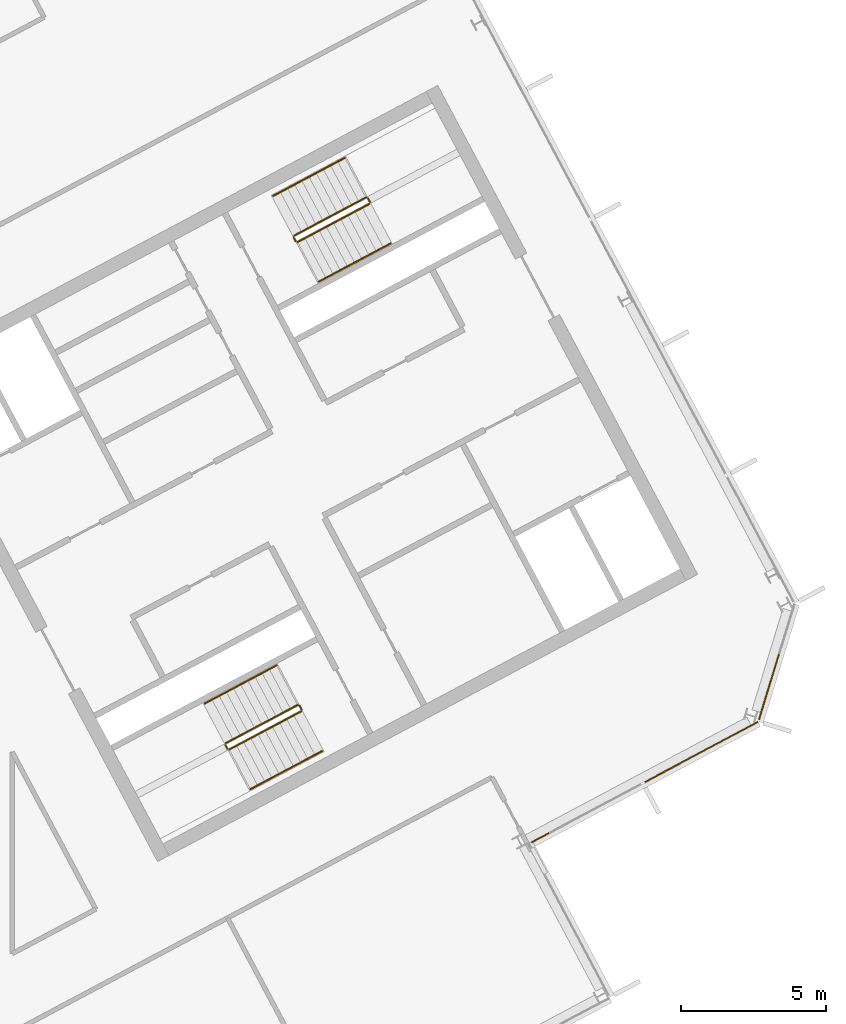
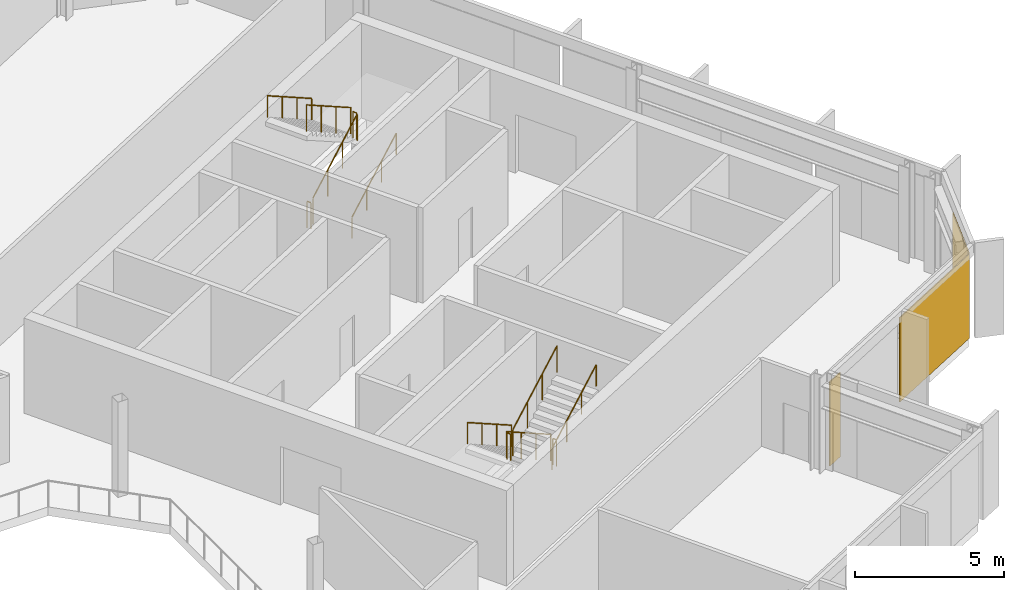
# One storey, part 25 of 26: 12 railings, 3 coverings, 2 elements without a shape of their own.
"""IFC4 building model written with IfcOpenShell, lengths in metres."""

from ifc_helpers import new_model, si_unit, direction, frame, origin, origin_2d, place, context, subcontext, project, spatial, polyline, rectangle, outline, extrude, material, layer, layer_set, type_object, element, aggregate, save


model = new_model("IFC4")

# Units and contexts
model_context = context("Model", 3, precision=1e-05, world=origin(), true_north=direction((0.0, 1.0)))
body_context = subcontext(model_context, "Body", "Model", "MODEL_VIEW")
ifc_project = project(units=[si_unit("LENGTHUNIT", "METRE"), si_unit("AREAUNIT", "SQUARE_METRE"), si_unit("VOLUMEUNIT", "CUBIC_METRE"), si_unit("PLANEANGLEUNIT", "RADIAN"), si_unit("MASSUNIT", "GRAM", prefix="KILO")], contexts=[model_context])

# Site, building, storey
site_placement = place(None, origin())
site = spatial("IfcSite", under=ifc_project, at=site_placement, CompositionType="ELEMENT")
building_placement = place(site_placement, origin())
building = spatial("IfcBuilding", under=site, at=building_placement, Name="Cormorant Relay Tower", CompositionType="ELEMENT")
storey_placement = place(building_placement, frame((0.0, 0.0, 261.89990234375)))
storey = spatial("IfcBuildingStorey", under=building, at=storey_placement, Name="L58", CompositionType="ELEMENT", Elevation=261.89990234375)

# Curtain wall, coverings
ifc_material_1 = material(Name="Aluminium 6063-T6 anodised bronze", Category="aluminium")
ifc_layer_1 = layer(ifc_material_1, 0.199951171875)
ifc_layer_set_1 = layer_set([ifc_layer_1], Name="CW1 unitised bronze curtain wall with vertical fins")
curtain_wall_type = type_object("IfcCurtainWallType", Name="CW1 unitised bronze curtain wall with vertical fins", PredefinedType="NOTDEFINED", material=ifc_layer_set_1)
curtain_wall_1_placement = place(storey_placement, origin())
curtain_wall_1 = element("IfcCurtainWall", 1, at=curtain_wall_1_placement, inside=storey, type_object=curtain_wall_type, Name="CW1 curtain wall 4", PredefinedType="NOTDEFINED")
ifc_material_2 = material(Name="Pale bronze anodised aluminium insulated panel", Category="aluminium")
ifc_layer_2 = layer(ifc_material_2, 0.0400390625)
ifc_layer_set_2 = layer_set([ifc_layer_2], Name="CW1 pale bronze insulated panel 40")
covering_type = type_object("IfcCoveringType", Name="CW1 pale bronze insulated panel 40", PredefinedType="CLADDING", material=ifc_layer_set_2)
covering_1_placement = place(storey_placement, frame((32.204345703125, 0.1123046875, 0.0), z_axis=(0.0, 0.0, 1.0), x_axis=(0.882947592859, 0.469471562786, 0.0)))
covering_1 = element("IfcCovering", 2, at=covering_1_placement, type_object=covering_type, Name="CW1 panel S00", PredefinedType="CLADDING", context=body_context, shape_type="SweptSolid", body=[
    extrude(rectangle(XDim=0.675048828125, YDim=0.0400390625, at=origin_2d()), origin(), (0.0, 0.0, 1.0), 3.449951171875),
])
covering_2_placement = place(storey_placement, frame((37.76708984375, 3.06982421875, 0.0), z_axis=(0.0, 0.0, 1.0), x_axis=(0.882947592859, 0.469471562786, 0.0)))
covering_2 = element("IfcCovering", 3, at=covering_2_placement, type_object=covering_type, Name="CW1 panel S02", PredefinedType="CLADDING", context=body_context, shape_type="SweptSolid", body=[
    extrude(rectangle(XDim=4.425048828125, YDim=0.0400390625, at=origin_2d()), origin(), (0.0, 0.0, 1.0), 3.449951171875),
])
aggregate(curtain_wall_1, [covering_1, covering_2])

# Curtain wall, covering
curtain_wall_2_placement = place(storey_placement, origin())
curtain_wall_2 = element("IfcCurtainWall", 4, at=curtain_wall_2_placement, inside=storey, type_object=curtain_wall_type, Name="CW1 curtain wall 5", PredefinedType="NOTDEFINED")
covering_3_placement = place(storey_placement, frame((40.098388671875, 5.32421875, 0.0), z_axis=(0.0, 0.0, 1.0), x_axis=(0.292371704723, 0.956304755963, 0.0)))
covering_3 = element("IfcCovering", 5, at=covering_3_placement, type_object=covering_type, Name="CW1 panel S00", PredefinedType="CLADDING", context=body_context, shape_type="SweptSolid", body=[
    extrude(rectangle(XDim=2.36767578125, YDim=0.0400390625, at=origin_2d()), origin(), (0.0, 0.0, 1.0), 3.449951171875),
])
aggregate(curtain_wall_2, [covering_3])

# Railings
ifc_material_3 = material(Name="Steel ASTM A572 Grade 50 (Fy 345 MPa)", Category="steel")
railing_type_1 = type_object("IfcRailingType", Name="Stair guard 1100", PredefinedType="GUARDRAIL", material=ifc_material_3)
railing_1_placement = place(storey_placement, frame((23.83837890625, 4.6904296875, 0.177490234375)))
element("IfcRailing", 6, at=railing_1_placement, inside=storey, type_object=railing_type_1, Name="L58 B1 stair guard 1", PredefinedType="GUARDRAIL", context=body_context, shape_type="SweptSolid", body=[
    extrude(outline(polyline([(0.022216796875, 0.00927734375), (0.00927734375, 0.022216796875), (-0.00927734375, 0.022216796875), (-0.022216796875, 0.00927734375), (-0.022216796875, -0.00927734375), (-0.00927734375, -0.022216796875), (0.00927734375, -0.022216796875), (0.022216796875, -0.00927734375), (0.022216796875, 0.00927734375)])), frame((0.0, 0.0, 1.076171875), z_axis=(-0.746033882577, -0.396627473466, 0.534901947407), x_axis=(0.469429322983, -0.882970050864, 0.0)), (0.0, 0.0, 1.0), 3.31396484375),
    extrude(outline(polyline([(0.019287109375, 0.008056640625), (0.008056640625, 0.019287109375), (-0.008056640625, 0.019287109375), (-0.019287109375, 0.008056640625), (-0.019287109375, -0.008056640625), (-0.008056640625, -0.019287109375), (0.008056640625, -0.019287109375), (0.019287109375, -0.008056640625), (0.019287109375, 0.008056640625)])), origin(), (0.0, 0.0, 1.0), 1.052001953125),
    extrude(outline(polyline([(0.019287109375, 0.008056640625), (0.008056640625, 0.019287109375), (-0.008056640625, 0.019287109375), (-0.019287109375, 0.008056640625), (-0.019287109375, -0.008056640625), (-0.008056640625, -0.019287109375), (0.008056640625, -0.019287109375), (0.019287109375, -0.008056640625), (0.019287109375, 0.008056640625)])), frame((-0.82421875, -0.438232421875, 0.5908203125)), (0.0, 0.0, 1.0), 1.052001953125),
    extrude(outline(polyline([(0.019287109375, 0.008056640625), (0.008056640625, 0.019287109375), (-0.008056640625, 0.019287109375), (-0.019287109375, 0.008056640625), (-0.019287109375, -0.008056640625), (-0.008056640625, -0.019287109375), (0.008056640625, -0.019287109375), (0.019287109375, -0.008056640625), (0.019287109375, 0.008056640625)])), frame((-1.648193359375, -0.876220703125, 1.181884765625)), (0.0, 0.0, 1.0), 1.052001953125),
    extrude(outline(polyline([(0.019287109375, 0.008056640625), (0.008056640625, 0.019287109375), (-0.008056640625, 0.019287109375), (-0.019287109375, 0.008056640625), (-0.019287109375, -0.008056640625), (-0.008056640625, -0.019287109375), (0.008056640625, -0.019287109375), (0.019287109375, -0.008056640625), (0.019287109375, 0.008056640625)])), frame((-2.472412109375, -1.314453125, 1.772705078125)), (0.0, 0.0, 1.0), 1.052001953125),
])
railing_2_placement = place(storey_placement, frame((21.345458984375, 3.308349609375, 1.9501953125)))
element("IfcRailing", 7, at=railing_2_placement, inside=storey, type_object=railing_type_1, Name="L58 B1 stair guard 2", PredefinedType="GUARDRAIL", context=body_context, shape_type="SweptSolid", body=[
    extrude(outline(polyline([(0.022216796875, 0.00927734375), (0.00927734375, 0.022216796875), (-0.00927734375, 0.022216796875), (-0.022216796875, 0.00927734375), (-0.022216796875, -0.00927734375), (-0.00927734375, -0.022216796875), (0.00927734375, -0.022216796875), (0.022216796875, -0.00927734375), (0.022216796875, 0.00927734375)])), frame((0.0, 0.0, 1.076171875), z_axis=(0.46856034887, -0.8834314911, 0.0), x_axis=(0.8834314911, 0.46856034887, 0.0)), (0.0, 0.0, 1.0), 0.150146484375),
    extrude(outline(polyline([(0.019287109375, 0.008056640625), (0.008056640625, 0.019287109375), (-0.008056640625, 0.019287109375), (-0.019287109375, 0.008056640625), (-0.019287109375, -0.008056640625), (-0.008056640625, -0.019287109375), (0.008056640625, -0.019287109375), (0.019287109375, -0.008056640625), (0.019287109375, 0.008056640625)])), origin(), (0.0, 0.0, 1.0), 1.052001953125),
    extrude(outline(polyline([(0.019287109375, 0.008056640625), (0.008056640625, 0.019287109375), (-0.008056640625, 0.019287109375), (-0.019287109375, 0.008056640625), (-0.019287109375, -0.008056640625), (-0.008056640625, -0.019287109375), (0.008056640625, -0.019287109375), (0.019287109375, -0.008056640625), (0.019287109375, 0.008056640625)])), frame((0.0703125, -0.132568359375, 0.0)), (0.0, 0.0, 1.0), 1.052001953125),
])
railing_3_placement = place(storey_placement, frame((21.4833984375, 3.1552734375, 2.12744140625)))
element("IfcRailing", 8, at=railing_3_placement, inside=storey, type_object=railing_type_1, Name="L58 B1 stair guard 3", PredefinedType="GUARDRAIL", context=body_context, shape_type="SweptSolid", body=[
    extrude(outline(polyline([(0.022216796875, 0.00927734375), (0.00927734375, 0.022216796875), (-0.00927734375, 0.022216796875), (-0.022216796875, 0.00927734375), (-0.022216796875, -0.00927734375), (-0.00927734375, -0.022216796875), (0.00927734375, -0.022216796875), (0.022216796875, -0.00927734375), (0.022216796875, 0.00927734375)])), frame((0.0, 0.0, 1.076171875), z_axis=(0.746001213114, 0.396649272309, 0.534931345884), x_axis=(-0.469465464807, 0.882950835185, 0.0)), (0.0, 0.0, 1.0), 3.31396484375),
    extrude(outline(polyline([(0.019287109375, 0.008056640625), (0.008056640625, 0.019287109375), (-0.008056640625, 0.019287109375), (-0.019287109375, 0.008056640625), (-0.019287109375, -0.008056640625), (-0.008056640625, -0.019287109375), (0.008056640625, -0.019287109375), (0.019287109375, -0.008056640625), (0.019287109375, 0.008056640625)])), origin(), (0.0, 0.0, 1.0), 1.052001953125),
    extrude(outline(polyline([(0.019287109375, 0.008056640625), (0.008056640625, 0.019287109375), (-0.008056640625, 0.019287109375), (-0.019287109375, 0.008056640625), (-0.019287109375, -0.008056640625), (-0.008056640625, -0.019287109375), (0.008056640625, -0.019287109375), (0.019287109375, -0.008056640625), (0.019287109375, 0.008056640625)])), frame((0.823974609375, 0.438232421875, 0.5908203125)), (0.0, 0.0, 1.0), 1.052001953125),
    extrude(outline(polyline([(0.019287109375, 0.008056640625), (0.008056640625, 0.019287109375), (-0.008056640625, 0.019287109375), (-0.019287109375, 0.008056640625), (-0.019287109375, -0.008056640625), (-0.008056640625, -0.019287109375), (0.008056640625, -0.019287109375), (0.019287109375, -0.008056640625), (0.019287109375, 0.008056640625)])), frame((1.648193359375, 0.876220703125, 1.181884765625)), (0.0, 0.0, 1.0), 1.052001953125),
    extrude(outline(polyline([(0.019287109375, 0.008056640625), (0.008056640625, 0.019287109375), (-0.008056640625, 0.019287109375), (-0.019287109375, 0.008056640625), (-0.019287109375, -0.008056640625), (-0.008056640625, -0.019287109375), (0.008056640625, -0.019287109375), (0.019287109375, -0.008056640625), (0.019287109375, 0.008056640625)])), frame((2.47216796875, 1.314453125, 1.772705078125)), (0.0, 0.0, 1.0), 1.052001953125),
])
railing_4_placement = place(storey_placement, frame((23.906005859375, 4.669677734375, 0.0)))
element("IfcRailing", 9, at=railing_4_placement, inside=storey, type_object=railing_type_1, Name="L58 B1 stair guard 4", PredefinedType="GUARDRAIL", context=body_context, shape_type="SweptSolid", body=[
    extrude(outline(polyline([(0.022216796875, 0.00927734375), (0.00927734375, 0.022216796875), (-0.00927734375, 0.022216796875), (-0.022216796875, 0.00927734375), (-0.022216796875, -0.00927734375), (-0.00927734375, -0.022216796875), (0.00927734375, -0.022216796875), (0.022216796875, -0.00927734375), (0.022216796875, 0.00927734375)])), frame((0.0, 0.0, 1.076171875), z_axis=(0.469234640946, -0.883073525669, 0.0), x_axis=(0.883073525669, 0.469234640946, 0.0)), (0.0, 0.0, 1.0), 0.14990234375),
    extrude(outline(polyline([(0.019287109375, 0.008056640625), (0.008056640625, 0.019287109375), (-0.008056640625, 0.019287109375), (-0.019287109375, 0.008056640625), (-0.019287109375, -0.008056640625), (-0.008056640625, -0.019287109375), (0.008056640625, -0.019287109375), (0.019287109375, -0.008056640625), (0.019287109375, 0.008056640625)])), origin(), (0.0, 0.0, 1.0), 1.052001953125),
    extrude(outline(polyline([(0.019287109375, 0.008056640625), (0.008056640625, 0.019287109375), (-0.008056640625, 0.019287109375), (-0.019287109375, 0.008056640625), (-0.019287109375, -0.008056640625), (-0.008056640625, -0.019287109375), (0.008056640625, -0.019287109375), (0.019287109375, -0.008056640625), (0.019287109375, 0.008056640625)])), frame((0.0703125, -0.13232421875, 0.0)), (0.0, 0.0, 1.0), 1.052001953125),
])
railing_5_placement = place(storey_placement, frame((23.8408203125, 20.6611328125, 0.177490234375)))
element("IfcRailing", 10, at=railing_5_placement, inside=storey, type_object=railing_type_1, Name="L58 B2 stair guard 1", PredefinedType="GUARDRAIL", context=body_context, shape_type="SweptSolid", body=[
    extrude(outline(polyline([(0.022216796875, 0.00927734375), (0.00927734375, 0.022216796875), (-0.00927734375, 0.022216796875), (-0.022216796875, 0.00927734375), (-0.022216796875, -0.00927734375), (-0.00927734375, -0.022216796875), (0.00927734375, -0.022216796875), (0.022216796875, -0.00927734375), (0.022216796875, 0.00927734375)])), frame((0.0, 0.0, 1.076171875), z_axis=(0.746033882577, 0.396627473466, 0.534901947407), x_axis=(-0.469429322983, 0.882970050864, 0.0)), (0.0, 0.0, 1.0), 3.31396484375),
    extrude(outline(polyline([(0.019287109375, 0.008056640625), (0.008056640625, 0.019287109375), (-0.008056640625, 0.019287109375), (-0.019287109375, 0.008056640625), (-0.019287109375, -0.008056640625), (-0.008056640625, -0.019287109375), (0.008056640625, -0.019287109375), (0.019287109375, -0.008056640625), (0.019287109375, 0.008056640625)])), origin(), (0.0, 0.0, 1.0), 1.052001953125),
    extrude(outline(polyline([(0.019287109375, 0.008056640625), (0.008056640625, 0.019287109375), (-0.008056640625, 0.019287109375), (-0.019287109375, 0.008056640625), (-0.019287109375, -0.008056640625), (-0.008056640625, -0.019287109375), (0.008056640625, -0.019287109375), (0.019287109375, -0.008056640625), (0.019287109375, 0.008056640625)])), frame((0.82421875, 0.438232421875, 0.5908203125)), (0.0, 0.0, 1.0), 1.052001953125),
    extrude(outline(polyline([(0.019287109375, 0.008056640625), (0.008056640625, 0.019287109375), (-0.008056640625, 0.019287109375), (-0.019287109375, 0.008056640625), (-0.019287109375, -0.008056640625), (-0.008056640625, -0.019287109375), (0.008056640625, -0.019287109375), (0.019287109375, -0.008056640625), (0.019287109375, 0.008056640625)])), frame((1.648193359375, 0.876220703125, 1.181884765625)), (0.0, 0.0, 1.0), 1.052001953125),
    extrude(outline(polyline([(0.019287109375, 0.008056640625), (0.008056640625, 0.019287109375), (-0.008056640625, 0.019287109375), (-0.019287109375, 0.008056640625), (-0.019287109375, -0.008056640625), (-0.008056640625, -0.019287109375), (0.008056640625, -0.019287109375), (0.019287109375, -0.008056640625), (0.019287109375, 0.008056640625)])), frame((2.472412109375, 1.314453125, 1.772705078125)), (0.0, 0.0, 1.0), 1.052001953125),
])
railing_6_placement = place(storey_placement, frame((26.333740234375, 22.043212890625, 1.9501953125)))
element("IfcRailing", 11, at=railing_6_placement, inside=storey, type_object=railing_type_1, Name="L58 B2 stair guard 2", PredefinedType="GUARDRAIL", context=body_context, shape_type="SweptSolid", body=[
    extrude(outline(polyline([(0.022216796875, 0.00927734375), (0.00927734375, 0.022216796875), (-0.00927734375, 0.022216796875), (-0.022216796875, 0.00927734375), (-0.022216796875, -0.00927734375), (-0.00927734375, -0.022216796875), (0.00927734375, -0.022216796875), (0.022216796875, -0.00927734375), (0.022216796875, 0.00927734375)])), frame((0.0, 0.0, 1.076171875), z_axis=(-0.469234640946, 0.883073525669, 0.0), x_axis=(-0.883073525669, -0.469234640946, 0.0)), (0.0, 0.0, 1.0), 0.14990234375),
    extrude(outline(polyline([(0.019287109375, 0.008056640625), (0.008056640625, 0.019287109375), (-0.008056640625, 0.019287109375), (-0.019287109375, 0.008056640625), (-0.019287109375, -0.008056640625), (-0.008056640625, -0.019287109375), (0.008056640625, -0.019287109375), (0.019287109375, -0.008056640625), (0.019287109375, 0.008056640625)])), origin(), (0.0, 0.0, 1.0), 1.052001953125),
    extrude(outline(polyline([(0.019287109375, 0.008056640625), (0.008056640625, 0.019287109375), (-0.008056640625, 0.019287109375), (-0.019287109375, 0.008056640625), (-0.019287109375, -0.008056640625), (-0.008056640625, -0.019287109375), (0.008056640625, -0.019287109375), (0.019287109375, -0.008056640625), (0.019287109375, 0.008056640625)])), frame((-0.0703125, 0.13232421875, 0.0)), (0.0, 0.0, 1.0), 1.052001953125),
])
railing_7_placement = place(storey_placement, frame((26.19580078125, 22.1962890625, 2.12744140625)))
element("IfcRailing", 12, at=railing_7_placement, inside=storey, type_object=railing_type_1, Name="L58 B2 stair guard 3", PredefinedType="GUARDRAIL", context=body_context, shape_type="SweptSolid", body=[
    extrude(outline(polyline([(0.022216796875, 0.00927734375), (0.00927734375, 0.022216796875), (-0.00927734375, 0.022216796875), (-0.022216796875, 0.00927734375), (-0.022216796875, -0.00927734375), (-0.00927734375, -0.022216796875), (0.00927734375, -0.022216796875), (0.022216796875, -0.00927734375), (0.022216796875, 0.00927734375)])), frame((0.0, 0.0, 1.076171875), z_axis=(-0.746033882577, -0.396627473466, 0.534901947407), x_axis=(0.469429322983, -0.882970050864, 0.0)), (0.0, 0.0, 1.0), 3.31396484375),
    extrude(outline(polyline([(0.019287109375, 0.008056640625), (0.008056640625, 0.019287109375), (-0.008056640625, 0.019287109375), (-0.019287109375, 0.008056640625), (-0.019287109375, -0.008056640625), (-0.008056640625, -0.019287109375), (0.008056640625, -0.019287109375), (0.019287109375, -0.008056640625), (0.019287109375, 0.008056640625)])), origin(), (0.0, 0.0, 1.0), 1.052001953125),
    extrude(outline(polyline([(0.019287109375, 0.008056640625), (0.008056640625, 0.019287109375), (-0.008056640625, 0.019287109375), (-0.019287109375, 0.008056640625), (-0.019287109375, -0.008056640625), (-0.008056640625, -0.019287109375), (0.008056640625, -0.019287109375), (0.019287109375, -0.008056640625), (0.019287109375, 0.008056640625)])), frame((-0.82421875, -0.438232421875, 0.5908203125)), (0.0, 0.0, 1.0), 1.052001953125),
    extrude(outline(polyline([(0.019287109375, 0.008056640625), (0.008056640625, 0.019287109375), (-0.008056640625, 0.019287109375), (-0.019287109375, 0.008056640625), (-0.019287109375, -0.008056640625), (-0.008056640625, -0.019287109375), (0.008056640625, -0.019287109375), (0.019287109375, -0.008056640625), (0.019287109375, 0.008056640625)])), frame((-1.648193359375, -0.876220703125, 1.181884765625)), (0.0, 0.0, 1.0), 1.052001953125),
    extrude(outline(polyline([(0.019287109375, 0.008056640625), (0.008056640625, 0.019287109375), (-0.008056640625, 0.019287109375), (-0.019287109375, 0.008056640625), (-0.019287109375, -0.008056640625), (-0.008056640625, -0.019287109375), (0.008056640625, -0.019287109375), (0.019287109375, -0.008056640625), (0.019287109375, 0.008056640625)])), frame((-2.472412109375, -1.314453125, 1.772705078125)), (0.0, 0.0, 1.0), 1.052001953125),
])
railing_8_placement = place(storey_placement, frame((23.773193359375, 20.681640625, 0.0)))
element("IfcRailing", 13, at=railing_8_placement, inside=storey, type_object=railing_type_1, Name="L58 B2 stair guard 4", PredefinedType="GUARDRAIL", context=body_context, shape_type="SweptSolid", body=[
    extrude(outline(polyline([(0.022216796875, 0.00927734375), (0.00927734375, 0.022216796875), (-0.00927734375, 0.022216796875), (-0.022216796875, 0.00927734375), (-0.022216796875, -0.00927734375), (-0.00927734375, -0.022216796875), (0.00927734375, -0.022216796875), (0.022216796875, -0.00927734375), (0.022216796875, 0.00927734375)])), frame((0.0, 0.0, 1.076171875), z_axis=(-0.46856034887, 0.8834314911, 0.0), x_axis=(-0.8834314911, -0.46856034887, 0.0)), (0.0, 0.0, 1.0), 0.150146484375),
    extrude(outline(polyline([(0.019287109375, 0.008056640625), (0.008056640625, 0.019287109375), (-0.008056640625, 0.019287109375), (-0.019287109375, 0.008056640625), (-0.019287109375, -0.008056640625), (-0.008056640625, -0.019287109375), (0.008056640625, -0.019287109375), (0.019287109375, -0.008056640625), (0.019287109375, 0.008056640625)])), origin(), (0.0, 0.0, 1.0), 1.052001953125),
    extrude(outline(polyline([(0.019287109375, 0.008056640625), (0.008056640625, 0.019287109375), (-0.008056640625, 0.019287109375), (-0.019287109375, 0.008056640625), (-0.019287109375, -0.008056640625), (-0.008056640625, -0.019287109375), (0.008056640625, -0.019287109375), (0.019287109375, -0.008056640625), (0.019287109375, 0.008056640625)])), frame((-0.0703125, 0.132568359375, 0.0)), (0.0, 0.0, 1.0), 1.052001953125),
])
ifc_material_4 = material(Name="Steel ASTM A572 Grade 50 (Fy 345 MPa)", Category="steel")
railing_type_2 = type_object("IfcRailingType", Name="Stair handrail 900", PredefinedType="HANDRAIL", material=ifc_material_4)
railing_9_placement = place(storey_placement, frame((23.110595703125, 6.05908203125, 0.177490234375)))
element("IfcRailing", 14, at=railing_9_placement, inside=storey, type_object=railing_type_2, Name="L58 B1 stair handrail 1", PredefinedType="HANDRAIL", context=body_context, shape_type="SweptSolid", body=[
    extrude(outline(polyline([(0.022216796875, 0.00927734375), (0.00927734375, 0.022216796875), (-0.00927734375, 0.022216796875), (-0.022216796875, 0.00927734375), (-0.022216796875, -0.00927734375), (-0.00927734375, -0.022216796875), (0.00927734375, -0.022216796875), (0.022216796875, -0.00927734375), (0.022216796875, 0.00927734375)])), frame((0.0, 0.0, 0.8759765625), z_axis=(-0.745979412481, -0.396711350603, 0.534915713414), x_axis=(0.469533439143, -0.882914689835, 0.0)), (0.0, 0.0, 1.0), 3.31396484375),
    extrude(outline(polyline([(0.019287109375, 0.008056640625), (0.008056640625, 0.019287109375), (-0.008056640625, 0.019287109375), (-0.019287109375, 0.008056640625), (-0.019287109375, -0.008056640625), (-0.008056640625, -0.019287109375), (0.008056640625, -0.019287109375), (0.019287109375, -0.008056640625), (0.019287109375, 0.008056640625)])), origin(), (0.0, 0.0, 1.0), 0.851806640625),
    extrude(outline(polyline([(0.019287109375, 0.008056640625), (0.008056640625, 0.019287109375), (-0.008056640625, 0.019287109375), (-0.019287109375, 0.008056640625), (-0.019287109375, -0.008056640625), (-0.008056640625, -0.019287109375), (0.008056640625, -0.019287109375), (0.019287109375, -0.008056640625), (0.019287109375, 0.008056640625)])), frame((-0.823974609375, -0.438232421875, 0.5908203125)), (0.0, 0.0, 1.0), 0.851806640625),
    extrude(outline(polyline([(0.019287109375, 0.008056640625), (0.008056640625, 0.019287109375), (-0.008056640625, 0.019287109375), (-0.019287109375, 0.008056640625), (-0.019287109375, -0.008056640625), (-0.008056640625, -0.019287109375), (0.008056640625, -0.019287109375), (0.019287109375, -0.008056640625), (0.019287109375, 0.008056640625)])), frame((-1.648193359375, -0.87646484375, 1.181884765625)), (0.0, 0.0, 1.0), 0.851806640625),
    extrude(outline(polyline([(0.019287109375, 0.008056640625), (0.008056640625, 0.019287109375), (-0.008056640625, 0.019287109375), (-0.019287109375, 0.008056640625), (-0.019287109375, -0.008056640625), (-0.008056640625, -0.019287109375), (0.008056640625, -0.019287109375), (0.019287109375, -0.008056640625), (0.019287109375, 0.008056640625)])), frame((-2.47216796875, -1.314697265625, 1.772705078125)), (0.0, 0.0, 1.0), 0.851806640625),
])
railing_10_placement = place(storey_placement, frame((22.211181640625, 1.78662109375, 2.12744140625)))
element("IfcRailing", 15, at=railing_10_placement, inside=storey, type_object=railing_type_2, Name="L58 B1 stair handrail 2", PredefinedType="HANDRAIL", context=body_context, shape_type="SweptSolid", body=[
    extrude(outline(polyline([(0.022216796875, 0.00927734375), (0.00927734375, 0.022216796875), (-0.00927734375, 0.022216796875), (-0.022216796875, 0.00927734375), (-0.022216796875, -0.00927734375), (-0.00927734375, -0.022216796875), (0.00927734375, -0.022216796875), (0.022216796875, -0.00927734375), (0.022216796875, 0.00927734375)])), frame((0.0, 0.0, 0.8759765625), z_axis=(0.746001213114, 0.396649272309, 0.534931345884), x_axis=(-0.469465464807, 0.882950835185, 0.0)), (0.0, 0.0, 1.0), 3.31396484375),
    extrude(outline(polyline([(0.019287109375, 0.008056640625), (0.008056640625, 0.019287109375), (-0.008056640625, 0.019287109375), (-0.019287109375, 0.008056640625), (-0.019287109375, -0.008056640625), (-0.008056640625, -0.019287109375), (0.008056640625, -0.019287109375), (0.019287109375, -0.008056640625), (0.019287109375, 0.008056640625)])), origin(), (0.0, 0.0, 1.0), 0.851806640625),
    extrude(outline(polyline([(0.019287109375, 0.008056640625), (0.008056640625, 0.019287109375), (-0.008056640625, 0.019287109375), (-0.019287109375, 0.008056640625), (-0.019287109375, -0.008056640625), (-0.008056640625, -0.019287109375), (0.008056640625, -0.019287109375), (0.019287109375, -0.008056640625), (0.019287109375, 0.008056640625)])), frame((0.823974609375, 0.438232421875, 0.5908203125)), (0.0, 0.0, 1.0), 0.851806640625),
    extrude(outline(polyline([(0.019287109375, 0.008056640625), (0.008056640625, 0.019287109375), (-0.008056640625, 0.019287109375), (-0.019287109375, 0.008056640625), (-0.019287109375, -0.008056640625), (-0.008056640625, -0.019287109375), (0.008056640625, -0.019287109375), (0.019287109375, -0.008056640625), (0.019287109375, 0.008056640625)])), frame((1.648193359375, 0.876220703125, 1.181884765625)), (0.0, 0.0, 1.0), 0.851806640625),
    extrude(outline(polyline([(0.019287109375, 0.008056640625), (0.008056640625, 0.019287109375), (-0.008056640625, 0.019287109375), (-0.019287109375, 0.008056640625), (-0.019287109375, -0.008056640625), (-0.008056640625, -0.019287109375), (0.008056640625, -0.019287109375), (0.019287109375, -0.008056640625), (0.019287109375, 0.008056640625)])), frame((2.47216796875, 1.314453125, 1.772705078125)), (0.0, 0.0, 1.0), 0.851806640625),
])
railing_11_placement = place(storey_placement, frame((24.568603515625, 19.29248046875, 0.177490234375)))
element("IfcRailing", 16, at=railing_11_placement, inside=storey, type_object=railing_type_2, Name="L58 B2 stair handrail 1", PredefinedType="HANDRAIL", context=body_context, shape_type="SweptSolid", body=[
    extrude(outline(polyline([(0.022216796875, 0.00927734375), (0.00927734375, 0.022216796875), (-0.00927734375, 0.022216796875), (-0.022216796875, 0.00927734375), (-0.022216796875, -0.00927734375), (-0.00927734375, -0.022216796875), (0.00927734375, -0.022216796875), (0.022216796875, -0.00927734375), (0.022216796875, 0.00927734375)])), frame((0.0, 0.0, 0.8759765625), z_axis=(0.746001213114, 0.396649272309, 0.534931345884), x_axis=(-0.469465464807, 0.882950835185, 0.0)), (0.0, 0.0, 1.0), 3.31396484375),
    extrude(outline(polyline([(0.019287109375, 0.008056640625), (0.008056640625, 0.019287109375), (-0.008056640625, 0.019287109375), (-0.019287109375, 0.008056640625), (-0.019287109375, -0.008056640625), (-0.008056640625, -0.019287109375), (0.008056640625, -0.019287109375), (0.019287109375, -0.008056640625), (0.019287109375, 0.008056640625)])), origin(), (0.0, 0.0, 1.0), 0.851806640625),
    extrude(outline(polyline([(0.019287109375, 0.008056640625), (0.008056640625, 0.019287109375), (-0.008056640625, 0.019287109375), (-0.019287109375, 0.008056640625), (-0.019287109375, -0.008056640625), (-0.008056640625, -0.019287109375), (0.008056640625, -0.019287109375), (0.019287109375, -0.008056640625), (0.019287109375, 0.008056640625)])), frame((0.823974609375, 0.438232421875, 0.5908203125)), (0.0, 0.0, 1.0), 0.851806640625),
    extrude(outline(polyline([(0.019287109375, 0.008056640625), (0.008056640625, 0.019287109375), (-0.008056640625, 0.019287109375), (-0.019287109375, 0.008056640625), (-0.019287109375, -0.008056640625), (-0.008056640625, -0.019287109375), (0.008056640625, -0.019287109375), (0.019287109375, -0.008056640625), (0.019287109375, 0.008056640625)])), frame((1.648193359375, 0.876220703125, 1.181884765625)), (0.0, 0.0, 1.0), 0.851806640625),
    extrude(outline(polyline([(0.019287109375, 0.008056640625), (0.008056640625, 0.019287109375), (-0.008056640625, 0.019287109375), (-0.019287109375, 0.008056640625), (-0.019287109375, -0.008056640625), (-0.008056640625, -0.019287109375), (0.008056640625, -0.019287109375), (0.019287109375, -0.008056640625), (0.019287109375, 0.008056640625)])), frame((2.47216796875, 1.314453125, 1.772705078125)), (0.0, 0.0, 1.0), 0.851806640625),
])
railing_12_placement = place(storey_placement, frame((25.468017578125, 23.56494140625, 2.12744140625)))
element("IfcRailing", 17, at=railing_12_placement, inside=storey, type_object=railing_type_2, Name="L58 B2 stair handrail 2", PredefinedType="HANDRAIL", context=body_context, shape_type="SweptSolid", body=[
    extrude(outline(polyline([(0.022216796875, 0.00927734375), (0.00927734375, 0.022216796875), (-0.00927734375, 0.022216796875), (-0.022216796875, 0.00927734375), (-0.022216796875, -0.00927734375), (-0.00927734375, -0.022216796875), (0.00927734375, -0.022216796875), (0.022216796875, -0.00927734375), (0.022216796875, 0.00927734375)])), frame((0.0, 0.0, 0.8759765625), z_axis=(-0.745979412481, -0.396711350603, 0.534915713414), x_axis=(0.469533439143, -0.882914689835, 0.0)), (0.0, 0.0, 1.0), 3.31396484375),
    extrude(outline(polyline([(0.019287109375, 0.008056640625), (0.008056640625, 0.019287109375), (-0.008056640625, 0.019287109375), (-0.019287109375, 0.008056640625), (-0.019287109375, -0.008056640625), (-0.008056640625, -0.019287109375), (0.008056640625, -0.019287109375), (0.019287109375, -0.008056640625), (0.019287109375, 0.008056640625)])), origin(), (0.0, 0.0, 1.0), 0.851806640625),
    extrude(outline(polyline([(0.019287109375, 0.008056640625), (0.008056640625, 0.019287109375), (-0.008056640625, 0.019287109375), (-0.019287109375, 0.008056640625), (-0.019287109375, -0.008056640625), (-0.008056640625, -0.019287109375), (0.008056640625, -0.019287109375), (0.019287109375, -0.008056640625), (0.019287109375, 0.008056640625)])), frame((-0.823974609375, -0.438232421875, 0.5908203125)), (0.0, 0.0, 1.0), 0.851806640625),
    extrude(outline(polyline([(0.019287109375, 0.008056640625), (0.008056640625, 0.019287109375), (-0.008056640625, 0.019287109375), (-0.019287109375, 0.008056640625), (-0.019287109375, -0.008056640625), (-0.008056640625, -0.019287109375), (0.008056640625, -0.019287109375), (0.019287109375, -0.008056640625), (0.019287109375, 0.008056640625)])), frame((-1.648193359375, -0.87646484375, 1.181884765625)), (0.0, 0.0, 1.0), 0.851806640625),
    extrude(outline(polyline([(0.019287109375, 0.008056640625), (0.008056640625, 0.019287109375), (-0.008056640625, 0.019287109375), (-0.019287109375, 0.008056640625), (-0.019287109375, -0.008056640625), (-0.008056640625, -0.019287109375), (0.008056640625, -0.019287109375), (0.019287109375, -0.008056640625), (0.019287109375, 0.008056640625)])), frame((-2.47216796875, -1.314697265625, 1.772705078125)), (0.0, 0.0, 1.0), 0.851806640625),
])

save(model, "model.ifc")
